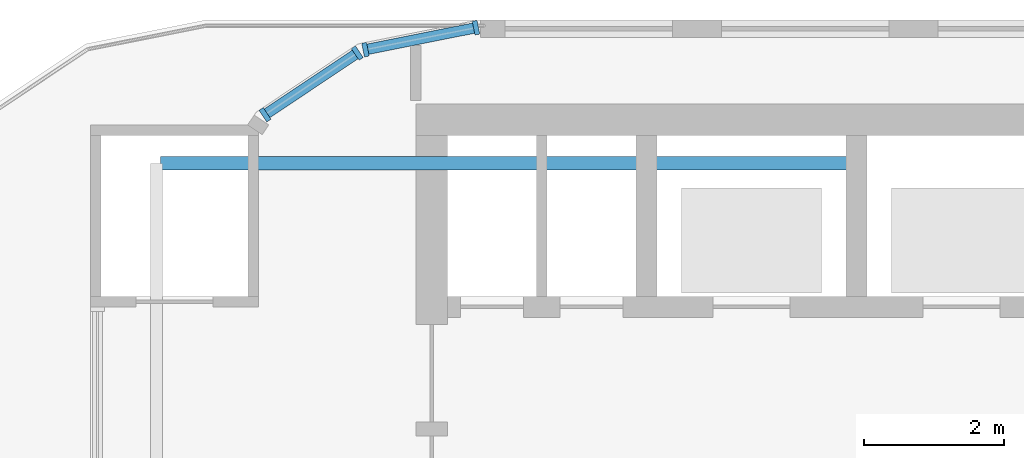
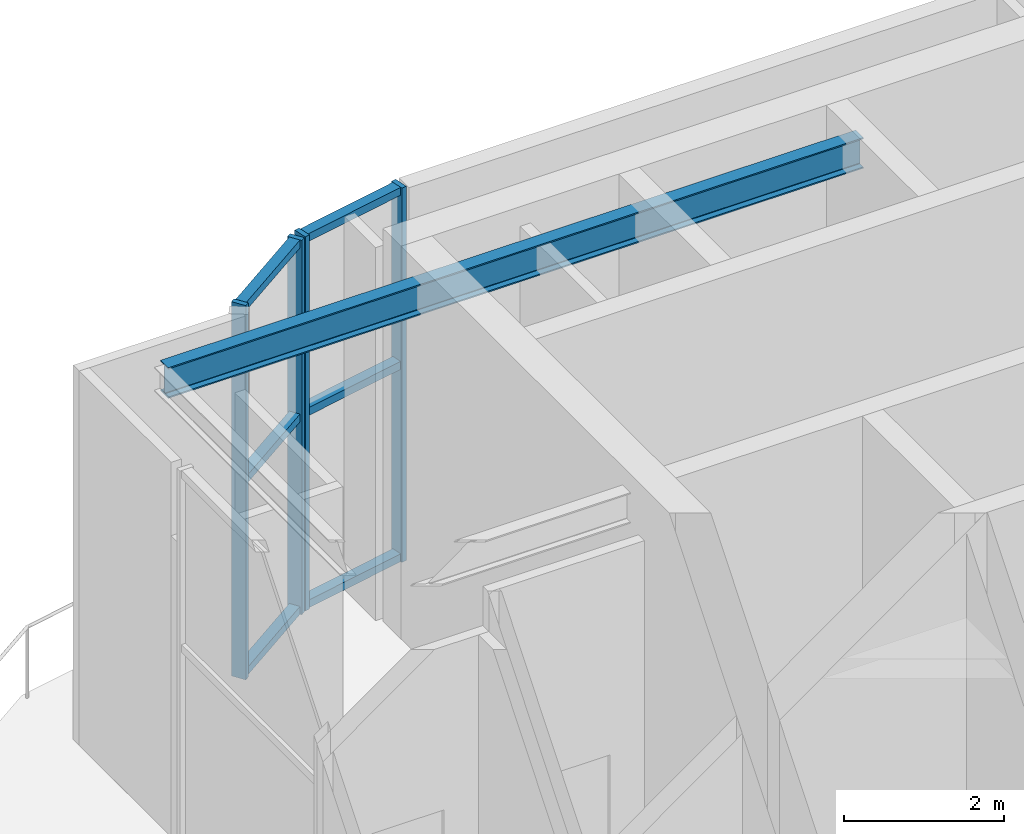
# One storey, part 7 of 21: 10 members, 1 beam, 2 elements without a shape of their own.
"""IFC4 building model written with IfcOpenShell, lengths in metres."""

from ifc_helpers import new_model, si_unit, direction, frame, origin, origin_2d, place, context, subcontext, project, spatial, rectangle, i_section, extrude, material, layer, layer_set, material_profile, profile_set, type_object, element, aggregate, save


model = new_model("IFC4")

# Units and contexts
model_context = context("Model", 3, precision=1e-05, world=origin(), true_north=direction((0.0, 1.0)))
body_context = subcontext(model_context, "Body", "Model", "MODEL_VIEW")
ifc_project = project(units=[si_unit("LENGTHUNIT", "METRE"), si_unit("AREAUNIT", "SQUARE_METRE"), si_unit("VOLUMEUNIT", "CUBIC_METRE"), si_unit("PLANEANGLEUNIT", "RADIAN"), si_unit("MASSUNIT", "GRAM", prefix="KILO")], contexts=[model_context])

# Site, building, storey
site_placement = place(None, origin())
site = spatial("IfcSite", under=ifc_project, at=site_placement, CompositionType="ELEMENT")
building_placement = place(site_placement, origin())
building = spatial("IfcBuilding", under=site, at=building_placement, Name="Torana Hotel and Residences", CompositionType="ELEMENT")
storey_placement = place(building_placement, frame((0.0, 0.0, 246.60009765625)))
storey = spatial("IfcBuildingStorey", under=building, at=storey_placement, Name="L65", CompositionType="ELEMENT", Elevation=246.60009765625)

# Beam
ifc_material_1 = material(Name="Steel S355", Category="steel")
ifc_material_profile_1 = material_profile(ifc_material_1, i_section(OverallWidth=0.19287109375, OverallDepth=0.46728515625, WebThickness=0.011474609375, FlangeThickness=0.01953125, FilletRadius=0.01025390625, at=origin_2d()), Name="457x191x98 UB")
ifc_profile_set_1 = profile_set([ifc_material_profile_1], Name="Steel S355")
beam_type = type_object("IfcBeamType", Name="BALCONY CANTILEVER BEAM 457x191x98 UB", PredefinedType="BEAM", material=ifc_profile_set_1)
beam_placement = place(storey_placement, frame((-23.1484375, -0.85009765625, 5.486328125), z_axis=(1.0, 0.0, 0.0), x_axis=(0.0, 1.0, 0.0)))
element("IfcBeam", 1, at=beam_placement, inside=storey, type_object=beam_type, Name="Balcony cantilever beam", PredefinedType="BEAM", context=body_context, shape_type="SweptSolid", body=[
    extrude(i_section(OverallWidth=0.19287109375, OverallDepth=0.46728515625, WebThickness=0.011474609375, FlangeThickness=0.01953125, FilletRadius=0.01025390625, at=origin_2d()), origin(), (0.0, 0.0, 1.0), 10.04833984375),
])

# Curtain wall, members
ifc_material_2 = material(Name="Dark anodised aluminium", Category="aluminium")
ifc_layer = layer(ifc_material_2, 0.199951171875)
ifc_layer_set = layer_set([ifc_layer], Name="CW2 SKY LOBBY UNITISED CURTAIN WALL")
curtain_wall_type = type_object("IfcCurtainWallType", Name="CW2 SKY LOBBY UNITISED CURTAIN WALL", PredefinedType="NOTDEFINED", material=ifc_layer_set)
curtain_wall_1_placement = place(storey_placement, origin())
curtain_wall_1 = element("IfcCurtainWall", 2, at=curtain_wall_1_placement, inside=storey, type_object=curtain_wall_type, Name="Curtain wall CW2 L65 e0.22-1", PredefinedType="NOTDEFINED")
ifc_material_3 = material(Name="Dark anodised aluminium", Category="aluminium")
ifc_material_profile_2 = material_profile(ifc_material_3, rectangle(XDim=0.199951171875, YDim=0.070068359375, at=origin_2d()), Name="CW2 MULLION 70x200")
ifc_profile_set_2 = profile_set([ifc_material_profile_2], Name="Dark anodised aluminium")
member_type_1 = type_object("IfcMemberType", Name="CW2 MULLION 70x200", PredefinedType="MULLION", material=ifc_profile_set_2)
member_1_placement = place(storey_placement, frame((-18.638916015625, 1.09033203125, 0.0), z_axis=(0.0, 0.0, 1.0), x_axis=(0.195063848566, -0.980790545928, 0.0)))
member_1 = element("IfcMember", 3, at=member_1_placement, type_object=member_type_1, Name="CW2 mullion 1", PredefinedType="MULLION", context=body_context, shape_type="SweptSolid", body=[
    extrude(rectangle(XDim=0.199951171875, YDim=0.070068359375, at=origin_2d()), origin(), (0.0, 0.0, 1.0), 5.719970703125),
])
member_2_placement = place(storey_placement, frame((-20.219482421875, 0.77587890625, 0.0), z_axis=(0.0, 0.0, 1.0), x_axis=(0.195063848566, -0.980790545928, 0.0)))
member_2 = element("IfcMember", 4, at=member_2_placement, type_object=member_type_1, Name="CW2 mullion 2", PredefinedType="MULLION", context=body_context, shape_type="SweptSolid", body=[
    extrude(rectangle(XDim=0.199951171875, YDim=0.070068359375, at=origin_2d()), origin(), (0.0, 0.0, 1.0), 5.719970703125),
])

curtain_wall_2_placement = place(storey_placement, origin())
curtain_wall_2 = element("IfcCurtainWall", 5, at=curtain_wall_2_placement, inside=storey, type_object=curtain_wall_type, Name="Curtain wall CW2 L65 e0.23-1", PredefinedType="NOTDEFINED")
member_3_placement = place(storey_placement, frame((-20.3369140625, 0.727294921875, 0.0), z_axis=(0.0, 0.0, 1.0), x_axis=(0.555563713278, -0.831473968618, 0.0)))
member_3 = element("IfcMember", 6, at=member_3_placement, type_object=member_type_1, Name="CW2 mullion 1", PredefinedType="MULLION", context=body_context, shape_type="SweptSolid", body=[
    extrude(rectangle(XDim=0.199951171875, YDim=0.070068359375, at=origin_2d()), origin(), (0.0, 0.0, 1.0), 5.719970703125),
])
member_4_placement = place(storey_placement, frame((-21.656005859375, -0.154052734375, 0.0), z_axis=(0.0, 0.0, 1.0), x_axis=(0.555563713278, -0.831473968618, 0.0)))
member_4 = element("IfcMember", 7, at=member_4_placement, type_object=member_type_1, Name="CW2 mullion 2", PredefinedType="MULLION", context=body_context, shape_type="SweptSolid", body=[
    extrude(rectangle(XDim=0.199951171875, YDim=0.070068359375, at=origin_2d()), origin(), (0.0, 0.0, 1.0), 5.719970703125),
])

# Member
ifc_material_4 = material(Name="Dark anodised aluminium", Category="aluminium")
ifc_material_profile_3 = material_profile(ifc_material_4, rectangle(XDim=0.14990234375, YDim=0.1201171875, at=origin_2d()), Name="CW2 TRANSOM 150x120")
ifc_profile_set_3 = profile_set([ifc_material_profile_3], Name="Dark anodised aluminium")
member_type_2 = type_object("IfcMemberType", Name="CW2 TRANSOM 150x120", PredefinedType="USERDEFINED", material=ifc_profile_set_3)
member_5_placement = place(storey_placement, frame((-18.67333984375, 1.08349609375, 0.059814453125), z_axis=(-0.980775137592, -0.195141306446, 0.0), x_axis=(0.195141306446, -0.980775137592, 0.0)))
member_5 = element("IfcMember", 8, at=member_5_placement, type_object=member_type_2, Name="CW2 transom 1.1", ObjectType="TRANSOM", PredefinedType="USERDEFINED", context=body_context, shape_type="SweptSolid", body=[
    extrude(rectangle(XDim=0.14990234375, YDim=0.1201171875, at=origin_2d()), origin(), (0.0, 0.0, 1.0), 1.541259765625),
])

member_6_placement = place(storey_placement, frame((-18.67333984375, 1.08349609375, 3.0), z_axis=(-0.980775137592, -0.195141306446, 0.0), x_axis=(0.195141306446, -0.980775137592, 0.0)))
member_6 = element("IfcMember", 9, at=member_6_placement, type_object=member_type_2, Name="CW2 transom 1.2", ObjectType="TRANSOM", PredefinedType="USERDEFINED", context=body_context, shape_type="SweptSolid", body=[
    extrude(rectangle(XDim=0.14990234375, YDim=0.1201171875, at=origin_2d()), origin(), (0.0, 0.0, 1.0), 1.541259765625),
])

member_7_placement = place(storey_placement, frame((-18.67333984375, 1.08349609375, 5.659912109375), z_axis=(-0.980775137592, -0.195141306446, 0.0), x_axis=(0.195141306446, -0.980775137592, 0.0)))
member_7 = element("IfcMember", 10, at=member_7_placement, type_object=member_type_2, Name="CW2 transom 1.3", ObjectType="TRANSOM", PredefinedType="USERDEFINED", context=body_context, shape_type="SweptSolid", body=[
    extrude(rectangle(XDim=0.14990234375, YDim=0.1201171875, at=origin_2d()), origin(), (0.0, 0.0, 1.0), 1.541259765625),
])

aggregate(curtain_wall_1, [member_1, member_2, member_5, member_6, member_7])

member_8_placement = place(storey_placement, frame((-20.3662109375, 0.707763671875, 0.059814453125), z_axis=(-0.83150490354, -0.555517412319, 0.0), x_axis=(0.555517412319, -0.83150490354, 0.0)))
member_8 = element("IfcMember", 11, at=member_8_placement, type_object=member_type_2, Name="CW2 transom 1.1", ObjectType="TRANSOM", PredefinedType="USERDEFINED", context=body_context, shape_type="SweptSolid", body=[
    extrude(rectangle(XDim=0.14990234375, YDim=0.1201171875, at=origin_2d()), origin(), (0.0, 0.0, 1.0), 1.51611328125),
])

member_9_placement = place(storey_placement, frame((-20.3662109375, 0.707763671875, 3.0), z_axis=(-0.83150490354, -0.555517412319, 0.0), x_axis=(0.555517412319, -0.83150490354, 0.0)))
member_9 = element("IfcMember", 12, at=member_9_placement, type_object=member_type_2, Name="CW2 transom 1.2", ObjectType="TRANSOM", PredefinedType="USERDEFINED", context=body_context, shape_type="SweptSolid", body=[
    extrude(rectangle(XDim=0.14990234375, YDim=0.1201171875, at=origin_2d()), origin(), (0.0, 0.0, 1.0), 1.51611328125),
])

member_10_placement = place(storey_placement, frame((-20.3662109375, 0.707763671875, 5.659912109375), z_axis=(-0.83150490354, -0.555517412319, 0.0), x_axis=(0.555517412319, -0.83150490354, 0.0)))
member_10 = element("IfcMember", 13, at=member_10_placement, type_object=member_type_2, Name="CW2 transom 1.3", ObjectType="TRANSOM", PredefinedType="USERDEFINED", context=body_context, shape_type="SweptSolid", body=[
    extrude(rectangle(XDim=0.14990234375, YDim=0.1201171875, at=origin_2d()), origin(), (0.0, 0.0, 1.0), 1.51611328125),
])

aggregate(curtain_wall_2, [member_3, member_4, member_8, member_9, member_10])

save(model, "model.ifc")
